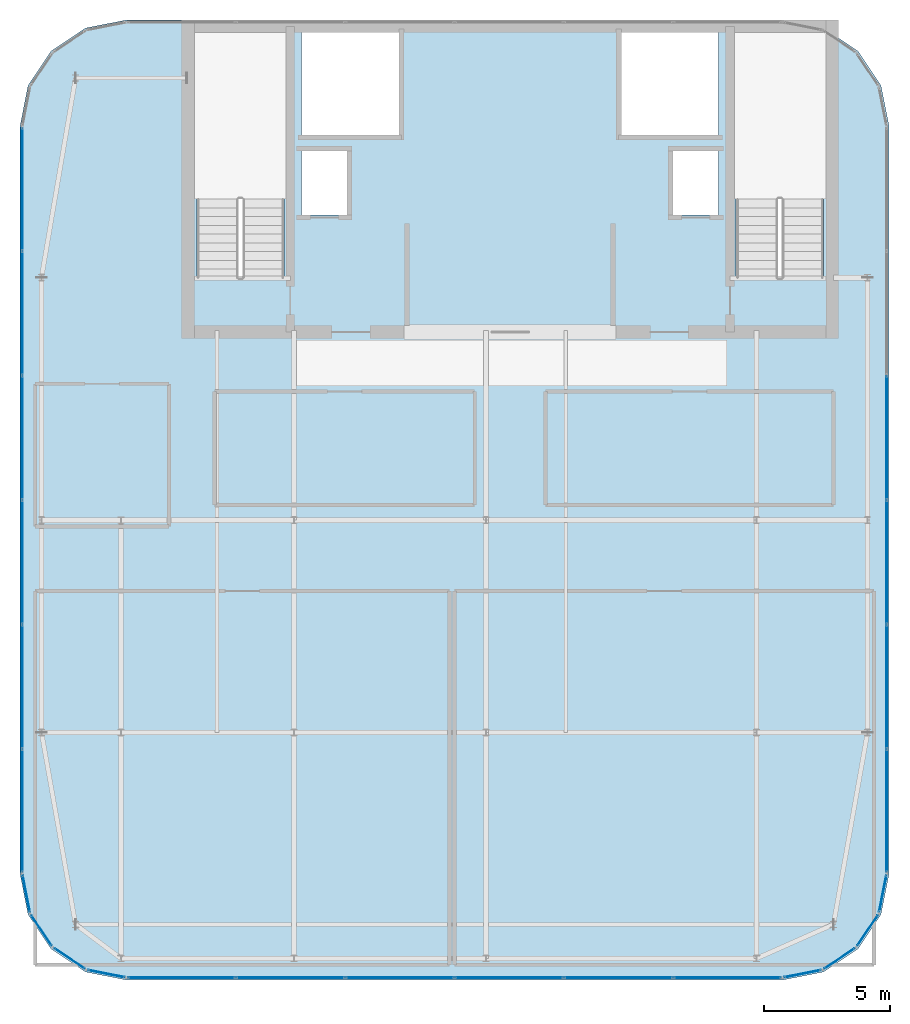
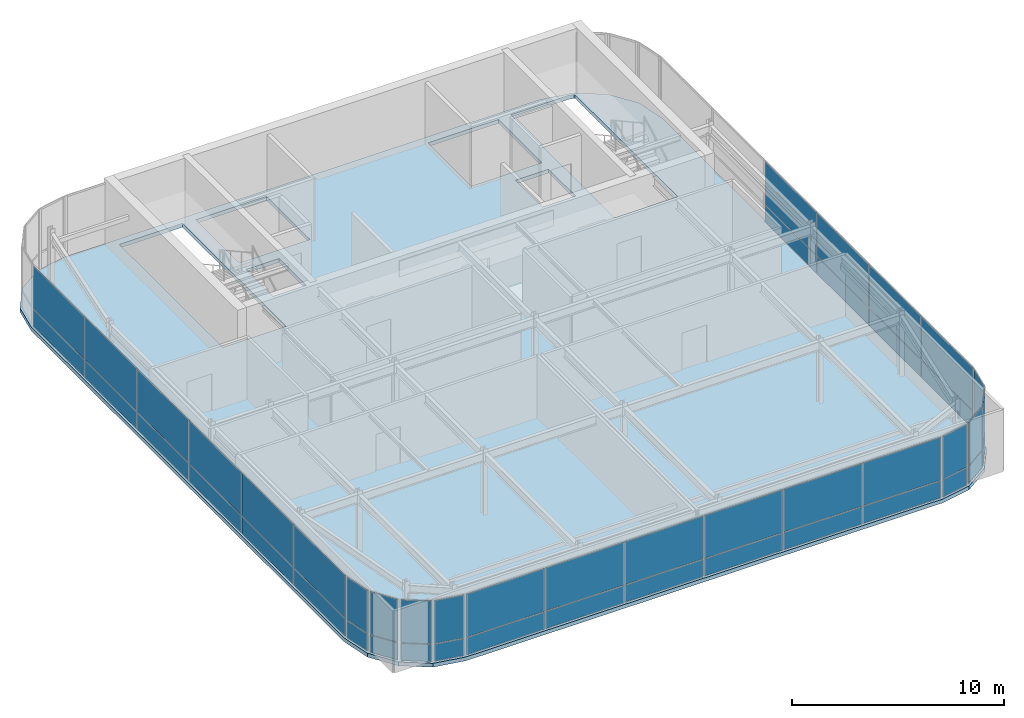
# One storey, part 29 of 36: 48 plates, 1 slab, 11 elements without a shape of their own.
"""IFC4 building model written with IfcOpenShell, lengths in metres."""

from ifc_helpers import new_model, si_unit, direction, frame, origin, origin_2d, place, context, subcontext, project, spatial, polyline, rectangle, outline, extrude, source, transform, mapped, material, layer, layer_set, type_object, type_shapes, element, aggregate, save


model = new_model("IFC4")

# Units and contexts
model_context = context("Model", 3, precision=1e-05, world=origin(), true_north=direction((0.0, 1.0)))
body_context = subcontext(model_context, "Body", "Model", "MODEL_VIEW")
ifc_project = project(units=[si_unit("LENGTHUNIT", "METRE"), si_unit("AREAUNIT", "SQUARE_METRE"), si_unit("VOLUMEUNIT", "CUBIC_METRE"), si_unit("PLANEANGLEUNIT", "RADIAN"), si_unit("MASSUNIT", "GRAM", prefix="KILO")], contexts=[model_context])

# Site, building, storey
site_placement = place(None, origin())
site = spatial("IfcSite", under=ifc_project, at=site_placement, CompositionType="ELEMENT")
building_placement = place(site_placement, origin())
building = spatial("IfcBuilding", under=site, at=building_placement, Name="Tolvann Quenvar Hotel", CompositionType="ELEMENT")
storey_placement = place(building_placement, frame((0.0, 0.0, 294.75)))
storey = spatial("IfcBuildingStorey", under=building, at=storey_placement, Name="L78", CompositionType="ELEMENT", Elevation=294.75)

# Slab
ifc_material_1 = material(Name="Concrete N50 (50 MPa)", Category="concrete")
ifc_layer_1 = layer(ifc_material_1, 0.219970703125)
ifc_layer_set_1 = layer_set([ifc_layer_1], Name="Concrete N50 (50 MPa)")
slab_type = type_object("IfcSlabType", Name="SLAB_UPR_220", PredefinedType="FLOOR", material=ifc_layer_set_1)
slab_placement = place(storey_placement, frame((0.0, 0.0, -0.219970703125)))
element("IfcSlab", 1, at=slab_placement, inside=storey, type_object=slab_type, Name="Level L78 Structural Floor Slab", PredefinedType="FLOOR", context=body_context, shape_type="SweptSolid", body=[
    extrude(outline(polyline([(3.60009765625, 10.39990234375), (3.919677734375, 8.792724609375), (4.830078125, 7.43017578125), (6.192626953125, 6.519775390625), (7.800048828125, 6.199951171875), (33.800048828125, 6.199951171875), (35.4072265625, 6.519775390625), (36.769775390625, 7.43017578125), (37.680419921875, 8.792724609375), (38.0, 10.39990234375), (38.0, 40.0), (37.680419921875, 41.607421875), (36.769775390625, 42.9697265625), (35.4072265625, 43.88037109375), (33.800048828125, 44.199951171875), (7.800048828125, 44.199951171875), (6.192626953125, 43.88037109375), (4.830078125, 42.9697265625), (3.919677734375, 41.607421875), (3.60009765625, 40.0), (3.60009765625, 10.39990234375)]), holes=[polyline([(35.093505859375, 43.800048828125), (35.352783203125, 43.748291015625), (35.39990234375, 43.716796875), (35.39990234375, 34.02490234375), (31.949951171875, 34.02490234375), (31.949951171875, 43.800048828125), (35.093505859375, 43.800048828125)]), polyline([(29.449951171875, 36.47998046875), (29.449951171875, 39.02001953125), (31.25, 39.02001953125), (31.25, 36.47998046875), (29.449951171875, 36.47998046875)]), polyline([(27.39990234375, 39.64990234375), (27.39990234375, 43.75), (31.25, 43.75), (31.25, 39.64990234375), (27.39990234375, 39.64990234375)]), polyline([(14.75, 39.64990234375), (14.75, 43.75), (18.60009765625, 43.75), (18.60009765625, 39.64990234375), (14.75, 39.64990234375)]), polyline([(16.550048828125, 36.47998046875), (14.75, 36.47998046875), (14.75, 39.02001953125), (16.550048828125, 39.02001953125), (16.550048828125, 36.47998046875)]), polyline([(14.050048828125, 34.02490234375), (10.60009765625, 34.02490234375), (10.60009765625, 43.800048828125), (14.050048828125, 43.800048828125), (14.050048828125, 34.02490234375)])]), origin(), (0.0, 0.0, 1.0), 0.219970703125),
])

# Curtain wall, plate
ifc_material_2 = material(Name="Thermally broken anodised architectural aluminium 6063-T6 and laminated low-E glass", Category="aluminium")
ifc_layer_2 = layer(ifc_material_2, 0.179931640625)
ifc_layer_set_2 = layer_set([ifc_layer_2], Name="Thermally broken anodised architectural aluminium 6063-T6 and laminated low-E glass")
curtain_wall_type = type_object("IfcCurtainWallType", Name="CW_SYS_LANT_06", PredefinedType="USERDEFINED", material=ifc_layer_set_2)
curtain_wall_1_placement = place(storey_placement, origin())
curtain_wall_1 = element("IfcCurtainWall", 2, at=curtain_wall_1_placement, inside=storey, type_object=curtain_wall_type, Name="Curtain Wall CW-LANT-06 (CWR-L78-E01)", ObjectType="UNITISED CURTAIN WALL", PredefinedType="USERDEFINED")
ifc_material_3 = material(Name="Diffused translucent ceramic-frit laminated lantern glass", Category="glass")
ifc_layer_3 = layer(ifc_material_3, 0.031982421875)
ifc_layer_set_3 = layer_set([ifc_layer_3], Name="Diffused translucent ceramic-frit laminated lantern glass")
plate_type = type_object("IfcPlateType", Name="CW_PAN_LANT_32", PredefinedType="CURTAIN_PANEL", material=ifc_layer_set_3)
shared_shape_1 = source(origin(), body_context, "Body", "SweptSolid", [
    extrude(rectangle(XDim=1.439208984375, YDim=0.031982421875, at=origin_2d()), origin(), (0.0, 0.0, 1.0), 0.97509765625),
])
plate_1_placement = place(storey_placement, frame((4.44970703125, 8.16162109375, 0.050048828125), z_axis=(0.0, 0.0, 1.0), x_axis=(0.555655769644, -0.831412452193, 0.0)))
plate_1 = element("IfcPlate", 3, at=plate_1_placement, type_object=plate_type, Name="CW-LANT-06 panel 1.1", PredefinedType="CURTAIN_PANEL", context=body_context, shape_type="MappedRepresentation", body=[
    mapped(shared_shape_1, transform((0.0, 0.0, 0.0), x_axis=(1.0, 0.0, 0.0), y_axis=(0.0, 1.0, 0.0), z_axis=(0.0, 0.0, 1.0), scale=1.0)),
])

curtain_wall_2_placement = place(storey_placement, origin())
curtain_wall_2 = element("IfcCurtainWall", 4, at=curtain_wall_2_placement, inside=storey, type_object=curtain_wall_type, Name="Curtain Wall CW-LANT-06 (CWR-L78-E02)", ObjectType="UNITISED CURTAIN WALL", PredefinedType="USERDEFINED")
plate_2_placement = place(storey_placement, frame((5.5615234375, 7.0498046875, 0.050048828125), z_axis=(0.0, 0.0, 1.0), x_axis=(0.831412452193, -0.555655769644, 0.0)))
plate_2 = element("IfcPlate", 5, at=plate_2_placement, type_object=plate_type, Name="CW-LANT-06 panel 1.1", PredefinedType="CURTAIN_PANEL", context=body_context, shape_type="MappedRepresentation", body=[
    mapped(shared_shape_1, transform((0.0, 0.0, 0.0), x_axis=(1.0, 0.0, 0.0), y_axis=(0.0, 1.0, 0.0), z_axis=(0.0, 0.0, 1.0), scale=1.0)),
])

curtain_wall_3_placement = place(storey_placement, origin())
curtain_wall_3 = element("IfcCurtainWall", 6, at=curtain_wall_3_placement, inside=storey, type_object=curtain_wall_type, Name="Curtain Wall CW-LANT-06 (CWR-L78-E06)", ObjectType="UNITISED CURTAIN WALL", PredefinedType="USERDEFINED")
plate_3_placement = place(storey_placement, frame((36.03857421875, 7.0498046875, 0.050048828125), z_axis=(0.0, 0.0, 1.0), x_axis=(0.831412452193, 0.555655769644, 0.0)))
plate_3 = element("IfcPlate", 7, at=plate_3_placement, type_object=plate_type, Name="CW-LANT-06 panel 1.1", PredefinedType="CURTAIN_PANEL", context=body_context, shape_type="MappedRepresentation", body=[
    mapped(shared_shape_1, transform((0.0, 0.0, 0.0), x_axis=(1.0, 0.0, 0.0), y_axis=(0.0, 1.0, 0.0), z_axis=(0.0, 0.0, 1.0), scale=1.0)),
])

curtain_wall_4_placement = place(storey_placement, origin())
curtain_wall_4 = element("IfcCurtainWall", 8, at=curtain_wall_4_placement, inside=storey, type_object=curtain_wall_type, Name="Curtain Wall CW-LANT-06 (CWR-L78-E07)", ObjectType="UNITISED CURTAIN WALL", PredefinedType="USERDEFINED")
plate_4_placement = place(storey_placement, frame((37.150146484375, 8.16162109375, 0.050048828125), z_axis=(0.0, 0.0, 1.0), x_axis=(0.555655769644, 0.831412452193, 0.0)))
plate_4 = element("IfcPlate", 9, at=plate_4_placement, type_object=plate_type, Name="CW-LANT-06 panel 1.1", PredefinedType="CURTAIN_PANEL", context=body_context, shape_type="MappedRepresentation", body=[
    mapped(shared_shape_1, transform((0.0, 0.0, 0.0), x_axis=(1.0, 0.0, 0.0), y_axis=(0.0, 1.0, 0.0), z_axis=(0.0, 0.0, 1.0), scale=1.0)),
])

# Plate
shared_shape_2 = source(origin(), body_context, "Body", "SweptSolid", [
    extrude(rectangle(XDim=1.439208984375, YDim=0.031982421875, at=origin_2d()), origin(), (0.0, 0.0, 1.0), 2.455078125),
])
plate_5_placement = place(storey_placement, frame((4.44970703125, 8.16162109375, 1.074951171875), z_axis=(0.0, 0.0, 1.0), x_axis=(0.555655769644, -0.831412452193, 0.0)))
plate_5 = element("IfcPlate", 10, at=plate_5_placement, type_object=plate_type, Name="CW-LANT-06 panel 1.2", PredefinedType="CURTAIN_PANEL", context=body_context, shape_type="MappedRepresentation", body=[
    mapped(shared_shape_2, transform((0.0, 0.0, 0.0), x_axis=(1.0, 0.0, 0.0), y_axis=(0.0, 1.0, 0.0), z_axis=(0.0, 0.0, 1.0), scale=1.0)),
])

aggregate(curtain_wall_1, [plate_1, plate_5])

plate_6_placement = place(storey_placement, frame((5.5615234375, 7.0498046875, 1.074951171875), z_axis=(0.0, 0.0, 1.0), x_axis=(0.831412452193, -0.555655769644, 0.0)))
plate_6 = element("IfcPlate", 11, at=plate_6_placement, type_object=plate_type, Name="CW-LANT-06 panel 1.2", PredefinedType="CURTAIN_PANEL", context=body_context, shape_type="MappedRepresentation", body=[
    mapped(shared_shape_2, transform((0.0, 0.0, 0.0), x_axis=(1.0, 0.0, 0.0), y_axis=(0.0, 1.0, 0.0), z_axis=(0.0, 0.0, 1.0), scale=1.0)),
])

aggregate(curtain_wall_2, [plate_2, plate_6])

plate_7_placement = place(storey_placement, frame((36.03857421875, 7.0498046875, 1.074951171875), z_axis=(0.0, 0.0, 1.0), x_axis=(0.831412452193, 0.555655769644, 0.0)))
plate_7 = element("IfcPlate", 12, at=plate_7_placement, type_object=plate_type, Name="CW-LANT-06 panel 1.2", PredefinedType="CURTAIN_PANEL", context=body_context, shape_type="MappedRepresentation", body=[
    mapped(shared_shape_2, transform((0.0, 0.0, 0.0), x_axis=(1.0, 0.0, 0.0), y_axis=(0.0, 1.0, 0.0), z_axis=(0.0, 0.0, 1.0), scale=1.0)),
])

aggregate(curtain_wall_3, [plate_3, plate_7])

plate_8_placement = place(storey_placement, frame((37.150146484375, 8.16162109375, 1.074951171875), z_axis=(0.0, 0.0, 1.0), x_axis=(0.555655769644, 0.831412452193, 0.0)))
plate_8 = element("IfcPlate", 13, at=plate_8_placement, type_object=plate_type, Name="CW-LANT-06 panel 1.2", PredefinedType="CURTAIN_PANEL", context=body_context, shape_type="MappedRepresentation", body=[
    mapped(shared_shape_2, transform((0.0, 0.0, 0.0), x_axis=(1.0, 0.0, 0.0), y_axis=(0.0, 1.0, 0.0), z_axis=(0.0, 0.0, 1.0), scale=1.0)),
])

aggregate(curtain_wall_4, [plate_4, plate_8])

# Curtain wall, plate
curtain_wall_5_placement = place(storey_placement, origin())
curtain_wall_5 = element("IfcCurtainWall", 14, at=curtain_wall_5_placement, inside=storey, type_object=curtain_wall_type, Name="Curtain Wall CW-LANT-06 (CWR-L78-E03)", ObjectType="UNITISED CURTAIN WALL", PredefinedType="USERDEFINED")
shared_shape_3 = source(origin(), body_context, "Body", "SweptSolid", [
    extrude(rectangle(XDim=1.456787109375, YDim=0.031982421875, at=origin_2d()), origin(), (0.0, 0.0, 1.0), 0.97509765625),
])
plate_9_placement = place(storey_placement, frame((7.0224609375, 6.4462890625, 0.050048828125), z_axis=(0.0, 0.0, 1.0), x_axis=(0.980790999222, -0.195061569369, 0.0)))
plate_9 = element("IfcPlate", 15, at=plate_9_placement, type_object=plate_type, Name="CW-LANT-06 panel 1.1", PredefinedType="CURTAIN_PANEL", context=body_context, shape_type="MappedRepresentation", body=[
    mapped(shared_shape_3, transform((0.0, 0.0, 0.0), x_axis=(1.0, 0.0, 0.0), y_axis=(0.0, 1.0, 0.0), z_axis=(0.0, 0.0, 1.0), scale=1.0)),
])

curtain_wall_6_placement = place(storey_placement, origin())
curtain_wall_6 = element("IfcCurtainWall", 16, at=curtain_wall_6_placement, inside=storey, type_object=curtain_wall_type, Name="Curtain Wall CW-LANT-06 (CWR-L78-E05)", ObjectType="UNITISED CURTAIN WALL", PredefinedType="USERDEFINED")
plate_10_placement = place(storey_placement, frame((34.577392578125, 6.4462890625, 0.050048828125), z_axis=(0.0, 0.0, 1.0), x_axis=(0.980790999222, 0.195061569369, 0.0)))
plate_10 = element("IfcPlate", 17, at=plate_10_placement, type_object=plate_type, Name="CW-LANT-06 panel 1.1", PredefinedType="CURTAIN_PANEL", context=body_context, shape_type="MappedRepresentation", body=[
    mapped(shared_shape_3, transform((0.0, 0.0, 0.0), x_axis=(1.0, 0.0, 0.0), y_axis=(0.0, 1.0, 0.0), z_axis=(0.0, 0.0, 1.0), scale=1.0)),
])

curtain_wall_7_placement = place(storey_placement, origin())
curtain_wall_7 = element("IfcCurtainWall", 18, at=curtain_wall_7_placement, inside=storey, type_object=curtain_wall_type, Name="Curtain Wall CW-LANT-06 (CWR-L78-E08)", ObjectType="UNITISED CURTAIN WALL", PredefinedType="USERDEFINED")
plate_11_placement = place(storey_placement, frame((37.753662109375, 9.62255859375, 0.050048828125), z_axis=(0.0, 0.0, 1.0), x_axis=(0.195061569369, 0.980790999222, 0.0)))
plate_11 = element("IfcPlate", 19, at=plate_11_placement, type_object=plate_type, Name="CW-LANT-06 panel 1.1", PredefinedType="CURTAIN_PANEL", context=body_context, shape_type="MappedRepresentation", body=[
    mapped(shared_shape_3, transform((0.0, 0.0, 0.0), x_axis=(1.0, 0.0, 0.0), y_axis=(0.0, 1.0, 0.0), z_axis=(0.0, 0.0, 1.0), scale=1.0)),
])

curtain_wall_8_placement = place(storey_placement, origin())
curtain_wall_8 = element("IfcCurtainWall", 20, at=curtain_wall_8_placement, inside=storey, type_object=curtain_wall_type, Name="Curtain Wall CW-LANT-06 (CWR-L78-E20)", ObjectType="UNITISED CURTAIN WALL", PredefinedType="USERDEFINED")
plate_12_placement = place(storey_placement, frame((3.846435546875, 9.62255859375, 0.050048828125), z_axis=(0.0, 0.0, 1.0), x_axis=(0.195061569369, -0.980790999222, 0.0)))
plate_12 = element("IfcPlate", 21, at=plate_12_placement, type_object=plate_type, Name="CW-LANT-06 panel 1.1", PredefinedType="CURTAIN_PANEL", context=body_context, shape_type="MappedRepresentation", body=[
    mapped(shared_shape_3, transform((0.0, 0.0, 0.0), x_axis=(1.0, 0.0, 0.0), y_axis=(0.0, 1.0, 0.0), z_axis=(0.0, 0.0, 1.0), scale=1.0)),
])

# Plate
shared_shape_4 = source(origin(), body_context, "Body", "SweptSolid", [
    extrude(rectangle(XDim=1.456787109375, YDim=0.031982421875, at=origin_2d()), origin(), (0.0, 0.0, 1.0), 2.455078125),
])
plate_13_placement = place(storey_placement, frame((7.0224609375, 6.4462890625, 1.074951171875), z_axis=(0.0, 0.0, 1.0), x_axis=(0.980790999222, -0.195061569369, 0.0)))
plate_13 = element("IfcPlate", 22, at=plate_13_placement, type_object=plate_type, Name="CW-LANT-06 panel 1.2", PredefinedType="CURTAIN_PANEL", context=body_context, shape_type="MappedRepresentation", body=[
    mapped(shared_shape_4, transform((0.0, 0.0, 0.0), x_axis=(1.0, 0.0, 0.0), y_axis=(0.0, 1.0, 0.0), z_axis=(0.0, 0.0, 1.0), scale=1.0)),
])

aggregate(curtain_wall_5, [plate_9, plate_13])

plate_14_placement = place(storey_placement, frame((34.577392578125, 6.4462890625, 1.074951171875), z_axis=(0.0, 0.0, 1.0), x_axis=(0.980790999222, 0.195061569369, 0.0)))
plate_14 = element("IfcPlate", 23, at=plate_14_placement, type_object=plate_type, Name="CW-LANT-06 panel 1.2", PredefinedType="CURTAIN_PANEL", context=body_context, shape_type="MappedRepresentation", body=[
    mapped(shared_shape_4, transform((0.0, 0.0, 0.0), x_axis=(1.0, 0.0, 0.0), y_axis=(0.0, 1.0, 0.0), z_axis=(0.0, 0.0, 1.0), scale=1.0)),
])

aggregate(curtain_wall_6, [plate_10, plate_14])

plate_15_placement = place(storey_placement, frame((37.753662109375, 9.62255859375, 1.074951171875), z_axis=(0.0, 0.0, 1.0), x_axis=(0.195061569369, 0.980790999222, 0.0)))
plate_15 = element("IfcPlate", 24, at=plate_15_placement, type_object=plate_type, Name="CW-LANT-06 panel 1.2", PredefinedType="CURTAIN_PANEL", context=body_context, shape_type="MappedRepresentation", body=[
    mapped(shared_shape_4, transform((0.0, 0.0, 0.0), x_axis=(1.0, 0.0, 0.0), y_axis=(0.0, 1.0, 0.0), z_axis=(0.0, 0.0, 1.0), scale=1.0)),
])

aggregate(curtain_wall_7, [plate_11, plate_15])

plate_16_placement = place(storey_placement, frame((3.846435546875, 9.62255859375, 1.074951171875), z_axis=(0.0, 0.0, 1.0), x_axis=(0.195061569369, -0.980790999222, 0.0)))
plate_16 = element("IfcPlate", 25, at=plate_16_placement, type_object=plate_type, Name="CW-LANT-06 panel 1.2", PredefinedType="CURTAIN_PANEL", context=body_context, shape_type="MappedRepresentation", body=[
    mapped(shared_shape_4, transform((0.0, 0.0, 0.0), x_axis=(1.0, 0.0, 0.0), y_axis=(0.0, 1.0, 0.0), z_axis=(0.0, 0.0, 1.0), scale=1.0)),
])

aggregate(curtain_wall_8, [plate_12, plate_16])

# Curtain wall, plates
curtain_wall_9_placement = place(storey_placement, origin())
curtain_wall_9 = element("IfcCurtainWall", 26, at=curtain_wall_9_placement, inside=storey, type_object=curtain_wall_type, Name="Curtain Wall CW-LANT-06 (CWR-L78-E04)", ObjectType="UNITISED CURTAIN WALL", PredefinedType="USERDEFINED")
shared_shape_5 = source(origin(), body_context, "Body", "SweptSolid", [
    extrude(rectangle(XDim=4.22998046875, YDim=0.031982421875, at=origin_2d()), origin(), (0.0, 0.0, 1.0), 0.97509765625),
])
plate_17_placement = place(storey_placement, frame((9.997314453125, 6.2900390625, 0.050048828125), z_axis=(0.0, 0.0, 1.0), x_axis=(1.0, 0.0, 0.0)))
plate_17 = element("IfcPlate", 27, at=plate_17_placement, type_object=plate_type, Name="CW-LANT-06 panel 1.1", PredefinedType="CURTAIN_PANEL", context=body_context, shape_type="MappedRepresentation", body=[
    mapped(shared_shape_5, transform((0.0, 0.0, 0.0), x_axis=(1.0, 0.0, 0.0), y_axis=(0.0, 1.0, 0.0), z_axis=(0.0, 0.0, 1.0), scale=1.0)),
])
plate_18_placement = place(storey_placement, frame((31.602783203125, 6.2900390625, 0.050048828125), z_axis=(0.0, 0.0, 1.0), x_axis=(1.0, 0.0, 0.0)))
plate_18 = element("IfcPlate", 28, at=plate_18_placement, type_object=plate_type, Name="CW-LANT-06 panel 6.1", PredefinedType="CURTAIN_PANEL", context=body_context, shape_type="MappedRepresentation", body=[
    mapped(shared_shape_5, transform((0.0, 0.0, 0.0), x_axis=(1.0, 0.0, 0.0), y_axis=(0.0, 1.0, 0.0), z_axis=(0.0, 0.0, 1.0), scale=1.0)),
])
shared_shape_6 = source(origin(), body_context, "Body", "SweptSolid", [
    extrude(rectangle(XDim=4.22998046875, YDim=0.031982421875, at=origin_2d()), origin(), (0.0, 0.0, 1.0), 2.455078125),
])
plate_19_placement = place(storey_placement, frame((9.997314453125, 6.2900390625, 1.074951171875), z_axis=(0.0, 0.0, 1.0), x_axis=(1.0, 0.0, 0.0)))
plate_19 = element("IfcPlate", 29, at=plate_19_placement, type_object=plate_type, Name="CW-LANT-06 panel 1.2", PredefinedType="CURTAIN_PANEL", context=body_context, shape_type="MappedRepresentation", body=[
    mapped(shared_shape_6, transform((0.0, 0.0, 0.0), x_axis=(1.0, 0.0, 0.0), y_axis=(0.0, 1.0, 0.0), z_axis=(0.0, 0.0, 1.0), scale=1.0)),
])
plate_20_placement = place(storey_placement, frame((31.602783203125, 6.2900390625, 1.074951171875), z_axis=(0.0, 0.0, 1.0), x_axis=(1.0, 0.0, 0.0)))
plate_20 = element("IfcPlate", 30, at=plate_20_placement, type_object=plate_type, Name="CW-LANT-06 panel 6.2", PredefinedType="CURTAIN_PANEL", context=body_context, shape_type="MappedRepresentation", body=[
    mapped(shared_shape_6, transform((0.0, 0.0, 0.0), x_axis=(1.0, 0.0, 0.0), y_axis=(0.0, 1.0, 0.0), z_axis=(0.0, 0.0, 1.0), scale=1.0)),
])
shared_shape_7 = source(origin(), body_context, "Body", "SweptSolid", [
    extrude(rectangle(XDim=4.2626953125, YDim=0.031982421875, at=origin_2d()), origin(), (0.0, 0.0, 1.0), 0.97509765625),
])
plate_21_placement = place(storey_placement, frame((14.30859375, 6.2900390625, 0.050048828125), z_axis=(0.0, 0.0, 1.0), x_axis=(1.0, 0.0, 0.0)))
plate_21 = element("IfcPlate", 31, at=plate_21_placement, type_object=plate_type, Name="CW-LANT-06 panel 2.1", PredefinedType="CURTAIN_PANEL", context=body_context, shape_type="MappedRepresentation", body=[
    mapped(shared_shape_7, transform((0.0, 0.0, 0.0), x_axis=(1.0, 0.0, 0.0), y_axis=(0.0, 1.0, 0.0), z_axis=(0.0, 0.0, 1.0), scale=1.0)),
])
plate_22_placement = place(storey_placement, frame((18.63623046875, 6.2900390625, 0.050048828125), z_axis=(0.0, 0.0, 1.0), x_axis=(1.0, 0.0, 0.0)))
plate_22 = element("IfcPlate", 32, at=plate_22_placement, type_object=plate_type, Name="CW-LANT-06 panel 3.1", PredefinedType="CURTAIN_PANEL", context=body_context, shape_type="MappedRepresentation", body=[
    mapped(shared_shape_7, transform((0.0, 0.0, 0.0), x_axis=(1.0, 0.0, 0.0), y_axis=(0.0, 1.0, 0.0), z_axis=(0.0, 0.0, 1.0), scale=1.0)),
])
plate_23_placement = place(storey_placement, frame((22.9638671875, 6.2900390625, 0.050048828125), z_axis=(0.0, 0.0, 1.0), x_axis=(1.0, 0.0, 0.0)))
plate_23 = element("IfcPlate", 33, at=plate_23_placement, type_object=plate_type, Name="CW-LANT-06 panel 4.1", PredefinedType="CURTAIN_PANEL", context=body_context, shape_type="MappedRepresentation", body=[
    mapped(shared_shape_7, transform((0.0, 0.0, 0.0), x_axis=(1.0, 0.0, 0.0), y_axis=(0.0, 1.0, 0.0), z_axis=(0.0, 0.0, 1.0), scale=1.0)),
])
plate_24_placement = place(storey_placement, frame((27.29150390625, 6.2900390625, 0.050048828125), z_axis=(0.0, 0.0, 1.0), x_axis=(1.0, 0.0, 0.0)))
plate_24 = element("IfcPlate", 34, at=plate_24_placement, type_object=plate_type, Name="CW-LANT-06 panel 5.1", PredefinedType="CURTAIN_PANEL", context=body_context, shape_type="MappedRepresentation", body=[
    mapped(shared_shape_7, transform((0.0, 0.0, 0.0), x_axis=(1.0, 0.0, 0.0), y_axis=(0.0, 1.0, 0.0), z_axis=(0.0, 0.0, 1.0), scale=1.0)),
])
shared_shape_8 = source(origin(), body_context, "Body", "SweptSolid", [
    extrude(rectangle(XDim=4.2626953125, YDim=0.031982421875, at=origin_2d()), origin(), (0.0, 0.0, 1.0), 2.455078125),
])
plate_25_placement = place(storey_placement, frame((14.30859375, 6.2900390625, 1.074951171875), z_axis=(0.0, 0.0, 1.0), x_axis=(1.0, 0.0, 0.0)))
plate_25 = element("IfcPlate", 35, at=plate_25_placement, type_object=plate_type, Name="CW-LANT-06 panel 2.2", PredefinedType="CURTAIN_PANEL", context=body_context, shape_type="MappedRepresentation", body=[
    mapped(shared_shape_8, transform((0.0, 0.0, 0.0), x_axis=(1.0, 0.0, 0.0), y_axis=(0.0, 1.0, 0.0), z_axis=(0.0, 0.0, 1.0), scale=1.0)),
])
plate_26_placement = place(storey_placement, frame((18.63623046875, 6.2900390625, 1.074951171875), z_axis=(0.0, 0.0, 1.0), x_axis=(1.0, 0.0, 0.0)))
plate_26 = element("IfcPlate", 36, at=plate_26_placement, type_object=plate_type, Name="CW-LANT-06 panel 3.2", PredefinedType="CURTAIN_PANEL", context=body_context, shape_type="MappedRepresentation", body=[
    mapped(shared_shape_8, transform((0.0, 0.0, 0.0), x_axis=(1.0, 0.0, 0.0), y_axis=(0.0, 1.0, 0.0), z_axis=(0.0, 0.0, 1.0), scale=1.0)),
])
plate_27_placement = place(storey_placement, frame((22.9638671875, 6.2900390625, 1.074951171875), z_axis=(0.0, 0.0, 1.0), x_axis=(1.0, 0.0, 0.0)))
plate_27 = element("IfcPlate", 37, at=plate_27_placement, type_object=plate_type, Name="CW-LANT-06 panel 4.2", PredefinedType="CURTAIN_PANEL", context=body_context, shape_type="MappedRepresentation", body=[
    mapped(shared_shape_8, transform((0.0, 0.0, 0.0), x_axis=(1.0, 0.0, 0.0), y_axis=(0.0, 1.0, 0.0), z_axis=(0.0, 0.0, 1.0), scale=1.0)),
])
plate_28_placement = place(storey_placement, frame((27.29150390625, 6.2900390625, 1.074951171875), z_axis=(0.0, 0.0, 1.0), x_axis=(1.0, 0.0, 0.0)))
plate_28 = element("IfcPlate", 38, at=plate_28_placement, type_object=plate_type, Name="CW-LANT-06 panel 5.2", PredefinedType="CURTAIN_PANEL", context=body_context, shape_type="MappedRepresentation", body=[
    mapped(shared_shape_8, transform((0.0, 0.0, 0.0), x_axis=(1.0, 0.0, 0.0), y_axis=(0.0, 1.0, 0.0), z_axis=(0.0, 0.0, 1.0), scale=1.0)),
])
aggregate(curtain_wall_9, [plate_17, plate_19, plate_21, plate_25, plate_22, plate_26, plate_23, plate_27, plate_24, plate_28, plate_18, plate_20])

# Curtain wall, plate
curtain_wall_10_placement = place(storey_placement, origin())
curtain_wall_10 = element("IfcCurtainWall", 39, at=curtain_wall_10_placement, inside=storey, type_object=curtain_wall_type, Name="Curtain Wall CW-LANT-06 (CWR-L78-E09)", ObjectType="UNITISED CURTAIN WALL", PredefinedType="USERDEFINED")
shared_shape_9 = source(origin(), body_context, "Body", "SweptSolid", [
    extrude(rectangle(XDim=4.830078125, YDim=0.031982421875, at=origin_2d()), origin(), (0.0, 0.0, 1.0), 0.97509765625),
])
plate_29_placement = place(storey_placement, frame((37.909912109375, 12.897216796875, 0.050048828125), z_axis=(0.0, 0.0, 1.0), x_axis=(0.0, 1.0, 0.0)))
plate_29 = element("IfcPlate", 40, at=plate_29_placement, type_object=plate_type, Name="CW-LANT-06 panel 1.1", PredefinedType="CURTAIN_PANEL", context=body_context, shape_type="MappedRepresentation", body=[
    mapped(shared_shape_9, transform((0.0, 0.0, 0.0), x_axis=(1.0, 0.0, 0.0), y_axis=(0.0, 1.0, 0.0), z_axis=(0.0, 0.0, 1.0), scale=1.0)),
])

# Curtain wall, plates
curtain_wall_11_placement = place(storey_placement, origin())
curtain_wall_11 = element("IfcCurtainWall", 41, at=curtain_wall_11_placement, inside=storey, type_object=curtain_wall_type, Name="Curtain Wall CW-LANT-06 (CWR-L78-E19)", ObjectType="UNITISED CURTAIN WALL", PredefinedType="USERDEFINED")
plate_30_placement = place(storey_placement, frame((3.68994140625, 37.502685546875, 0.050048828125), z_axis=(0.0, 0.0, 1.0), x_axis=(0.0, -1.0, 0.0)))
plate_30 = element("IfcPlate", 42, at=plate_30_placement, type_object=plate_type, Name="CW-LANT-06 panel 1.1", PredefinedType="CURTAIN_PANEL", context=body_context, shape_type="MappedRepresentation", body=[
    mapped(shared_shape_9, transform((0.0, 0.0, 0.0), x_axis=(1.0, 0.0, 0.0), y_axis=(0.0, 1.0, 0.0), z_axis=(0.0, 0.0, 1.0), scale=1.0)),
])
plate_31_placement = place(storey_placement, frame((3.68994140625, 12.897216796875, 0.050048828125), z_axis=(0.0, 0.0, 1.0), x_axis=(0.0, -1.0, 0.0)))
plate_31 = element("IfcPlate", 43, at=plate_31_placement, type_object=plate_type, Name="CW-LANT-06 panel 6.1", PredefinedType="CURTAIN_PANEL", context=body_context, shape_type="MappedRepresentation", body=[
    mapped(shared_shape_9, transform((0.0, 0.0, 0.0), x_axis=(1.0, 0.0, 0.0), y_axis=(0.0, 1.0, 0.0), z_axis=(0.0, 0.0, 1.0), scale=1.0)),
])

# Plate
shared_shape_10 = source(origin(), body_context, "Body", "SweptSolid", [
    extrude(rectangle(XDim=4.830078125, YDim=0.031982421875, at=origin_2d()), origin(), (0.0, 0.0, 1.0), 2.455078125),
])
plate_32_placement = place(storey_placement, frame((37.909912109375, 12.897216796875, 1.074951171875), z_axis=(0.0, 0.0, 1.0), x_axis=(0.0, 1.0, 0.0)))
plate_32 = element("IfcPlate", 44, at=plate_32_placement, type_object=plate_type, Name="CW-LANT-06 panel 1.2", PredefinedType="CURTAIN_PANEL", context=body_context, shape_type="MappedRepresentation", body=[
    mapped(shared_shape_10, transform((0.0, 0.0, 0.0), x_axis=(1.0, 0.0, 0.0), y_axis=(0.0, 1.0, 0.0), z_axis=(0.0, 0.0, 1.0), scale=1.0)),
])

plate_33_placement = place(storey_placement, frame((3.68994140625, 37.502685546875, 1.074951171875), z_axis=(0.0, 0.0, 1.0), x_axis=(0.0, -1.0, 0.0)))
plate_33 = element("IfcPlate", 45, at=plate_33_placement, type_object=plate_type, Name="CW-LANT-06 panel 1.2", PredefinedType="CURTAIN_PANEL", context=body_context, shape_type="MappedRepresentation", body=[
    mapped(shared_shape_10, transform((0.0, 0.0, 0.0), x_axis=(1.0, 0.0, 0.0), y_axis=(0.0, 1.0, 0.0), z_axis=(0.0, 0.0, 1.0), scale=1.0)),
])

plate_34_placement = place(storey_placement, frame((3.68994140625, 12.897216796875, 1.074951171875), z_axis=(0.0, 0.0, 1.0), x_axis=(0.0, -1.0, 0.0)))
plate_34 = element("IfcPlate", 46, at=plate_34_placement, type_object=plate_type, Name="CW-LANT-06 panel 6.2", PredefinedType="CURTAIN_PANEL", context=body_context, shape_type="MappedRepresentation", body=[
    mapped(shared_shape_10, transform((0.0, 0.0, 0.0), x_axis=(1.0, 0.0, 0.0), y_axis=(0.0, 1.0, 0.0), z_axis=(0.0, 0.0, 1.0), scale=1.0)),
])

shared_shape_11 = source(origin(), body_context, "Body", "SweptSolid", [
    extrude(rectangle(XDim=4.862548828125, YDim=0.031982421875, at=origin_2d()), origin(), (0.0, 0.0, 1.0), 0.97509765625),
])
plate_35_placement = place(storey_placement, frame((37.909912109375, 17.80859375, 0.050048828125), z_axis=(0.0, 0.0, 1.0), x_axis=(0.0, 1.0, 0.0)))
plate_35 = element("IfcPlate", 47, at=plate_35_placement, type_object=plate_type, Name="CW-LANT-06 panel 2.1", PredefinedType="CURTAIN_PANEL", context=body_context, shape_type="MappedRepresentation", body=[
    mapped(shared_shape_11, transform((0.0, 0.0, 0.0), x_axis=(1.0, 0.0, 0.0), y_axis=(0.0, 1.0, 0.0), z_axis=(0.0, 0.0, 1.0), scale=1.0)),
])

plate_36_placement = place(storey_placement, frame((37.909912109375, 22.736083984375, 0.050048828125), z_axis=(0.0, 0.0, 1.0), x_axis=(0.0, 1.0, 0.0)))
plate_36 = element("IfcPlate", 48, at=plate_36_placement, type_object=plate_type, Name="CW-LANT-06 panel 3.1", PredefinedType="CURTAIN_PANEL", context=body_context, shape_type="MappedRepresentation", body=[
    mapped(shared_shape_11, transform((0.0, 0.0, 0.0), x_axis=(1.0, 0.0, 0.0), y_axis=(0.0, 1.0, 0.0), z_axis=(0.0, 0.0, 1.0), scale=1.0)),
])

plate_37_placement = place(storey_placement, frame((37.909912109375, 27.663818359375, 0.050048828125), z_axis=(0.0, 0.0, 1.0), x_axis=(0.0, 1.0, 0.0)))
plate_37 = element("IfcPlate", 49, at=plate_37_placement, type_object=plate_type, Name="CW-LANT-06 panel 4.1", PredefinedType="CURTAIN_PANEL", context=body_context, shape_type="MappedRepresentation", body=[
    mapped(shared_shape_11, transform((0.0, 0.0, 0.0), x_axis=(1.0, 0.0, 0.0), y_axis=(0.0, 1.0, 0.0), z_axis=(0.0, 0.0, 1.0), scale=1.0)),
])

plate_38_placement = place(storey_placement, frame((3.68994140625, 32.59130859375, 0.050048828125), z_axis=(0.0, 0.0, 1.0), x_axis=(0.0, -1.0, 0.0)))
plate_38 = element("IfcPlate", 50, at=plate_38_placement, type_object=plate_type, Name="CW-LANT-06 panel 2.1", PredefinedType="CURTAIN_PANEL", context=body_context, shape_type="MappedRepresentation", body=[
    mapped(shared_shape_11, transform((0.0, 0.0, 0.0), x_axis=(1.0, 0.0, 0.0), y_axis=(0.0, 1.0, 0.0), z_axis=(0.0, 0.0, 1.0), scale=1.0)),
])

plate_39_placement = place(storey_placement, frame((3.68994140625, 27.663818359375, 0.050048828125), z_axis=(0.0, 0.0, 1.0), x_axis=(0.0, -1.0, 0.0)))
plate_39 = element("IfcPlate", 51, at=plate_39_placement, type_object=plate_type, Name="CW-LANT-06 panel 3.1", PredefinedType="CURTAIN_PANEL", context=body_context, shape_type="MappedRepresentation", body=[
    mapped(shared_shape_11, transform((0.0, 0.0, 0.0), x_axis=(1.0, 0.0, 0.0), y_axis=(0.0, 1.0, 0.0), z_axis=(0.0, 0.0, 1.0), scale=1.0)),
])

plate_40_placement = place(storey_placement, frame((3.68994140625, 22.736083984375, 0.050048828125), z_axis=(0.0, 0.0, 1.0), x_axis=(0.0, -1.0, 0.0)))
plate_40 = element("IfcPlate", 52, at=plate_40_placement, type_object=plate_type, Name="CW-LANT-06 panel 4.1", PredefinedType="CURTAIN_PANEL", context=body_context, shape_type="MappedRepresentation", body=[
    mapped(shared_shape_11, transform((0.0, 0.0, 0.0), x_axis=(1.0, 0.0, 0.0), y_axis=(0.0, 1.0, 0.0), z_axis=(0.0, 0.0, 1.0), scale=1.0)),
])

plate_41_placement = place(storey_placement, frame((3.68994140625, 17.80859375, 0.050048828125), z_axis=(0.0, 0.0, 1.0), x_axis=(0.0, -1.0, 0.0)))
plate_41 = element("IfcPlate", 53, at=plate_41_placement, type_object=plate_type, Name="CW-LANT-06 panel 5.1", PredefinedType="CURTAIN_PANEL", context=body_context, shape_type="MappedRepresentation", body=[
    mapped(shared_shape_11, transform((0.0, 0.0, 0.0), x_axis=(1.0, 0.0, 0.0), y_axis=(0.0, 1.0, 0.0), z_axis=(0.0, 0.0, 1.0), scale=1.0)),
])

shared_shape_12 = source(origin(), body_context, "Body", "SweptSolid", [
    extrude(rectangle(XDim=4.862548828125, YDim=0.031982421875, at=origin_2d()), origin(), (0.0, 0.0, 1.0), 2.455078125),
])
type_shapes(plate_type, [shared_shape_1, shared_shape_2, shared_shape_3, shared_shape_4, shared_shape_5, shared_shape_6, shared_shape_7, shared_shape_8, shared_shape_9, shared_shape_10, shared_shape_11, shared_shape_12])
plate_42_placement = place(storey_placement, frame((37.909912109375, 17.80859375, 1.074951171875), z_axis=(0.0, 0.0, 1.0), x_axis=(0.0, 1.0, 0.0)))
plate_42 = element("IfcPlate", 54, at=plate_42_placement, type_object=plate_type, Name="CW-LANT-06 panel 2.2", PredefinedType="CURTAIN_PANEL", context=body_context, shape_type="MappedRepresentation", body=[
    mapped(shared_shape_12, transform((0.0, 0.0, 0.0), x_axis=(1.0, 0.0, 0.0), y_axis=(0.0, 1.0, 0.0), z_axis=(0.0, 0.0, 1.0), scale=1.0)),
])

plate_43_placement = place(storey_placement, frame((37.909912109375, 22.736083984375, 1.074951171875), z_axis=(0.0, 0.0, 1.0), x_axis=(0.0, 1.0, 0.0)))
plate_43 = element("IfcPlate", 55, at=plate_43_placement, type_object=plate_type, Name="CW-LANT-06 panel 3.2", PredefinedType="CURTAIN_PANEL", context=body_context, shape_type="MappedRepresentation", body=[
    mapped(shared_shape_12, transform((0.0, 0.0, 0.0), x_axis=(1.0, 0.0, 0.0), y_axis=(0.0, 1.0, 0.0), z_axis=(0.0, 0.0, 1.0), scale=1.0)),
])

plate_44_placement = place(storey_placement, frame((37.909912109375, 27.663818359375, 1.074951171875), z_axis=(0.0, 0.0, 1.0), x_axis=(0.0, 1.0, 0.0)))
plate_44 = element("IfcPlate", 56, at=plate_44_placement, type_object=plate_type, Name="CW-LANT-06 panel 4.2", PredefinedType="CURTAIN_PANEL", context=body_context, shape_type="MappedRepresentation", body=[
    mapped(shared_shape_12, transform((0.0, 0.0, 0.0), x_axis=(1.0, 0.0, 0.0), y_axis=(0.0, 1.0, 0.0), z_axis=(0.0, 0.0, 1.0), scale=1.0)),
])

aggregate(curtain_wall_10, [plate_29, plate_32, plate_35, plate_42, plate_36, plate_43, plate_37, plate_44])

plate_45_placement = place(storey_placement, frame((3.68994140625, 32.59130859375, 1.074951171875), z_axis=(0.0, 0.0, 1.0), x_axis=(0.0, -1.0, 0.0)))
plate_45 = element("IfcPlate", 57, at=plate_45_placement, type_object=plate_type, Name="CW-LANT-06 panel 2.2", PredefinedType="CURTAIN_PANEL", context=body_context, shape_type="MappedRepresentation", body=[
    mapped(shared_shape_12, transform((0.0, 0.0, 0.0), x_axis=(1.0, 0.0, 0.0), y_axis=(0.0, 1.0, 0.0), z_axis=(0.0, 0.0, 1.0), scale=1.0)),
])

plate_46_placement = place(storey_placement, frame((3.68994140625, 27.663818359375, 1.074951171875), z_axis=(0.0, 0.0, 1.0), x_axis=(0.0, -1.0, 0.0)))
plate_46 = element("IfcPlate", 58, at=plate_46_placement, type_object=plate_type, Name="CW-LANT-06 panel 3.2", PredefinedType="CURTAIN_PANEL", context=body_context, shape_type="MappedRepresentation", body=[
    mapped(shared_shape_12, transform((0.0, 0.0, 0.0), x_axis=(1.0, 0.0, 0.0), y_axis=(0.0, 1.0, 0.0), z_axis=(0.0, 0.0, 1.0), scale=1.0)),
])

plate_47_placement = place(storey_placement, frame((3.68994140625, 22.736083984375, 1.074951171875), z_axis=(0.0, 0.0, 1.0), x_axis=(0.0, -1.0, 0.0)))
plate_47 = element("IfcPlate", 59, at=plate_47_placement, type_object=plate_type, Name="CW-LANT-06 panel 4.2", PredefinedType="CURTAIN_PANEL", context=body_context, shape_type="MappedRepresentation", body=[
    mapped(shared_shape_12, transform((0.0, 0.0, 0.0), x_axis=(1.0, 0.0, 0.0), y_axis=(0.0, 1.0, 0.0), z_axis=(0.0, 0.0, 1.0), scale=1.0)),
])

plate_48_placement = place(storey_placement, frame((3.68994140625, 17.80859375, 1.074951171875), z_axis=(0.0, 0.0, 1.0), x_axis=(0.0, -1.0, 0.0)))
plate_48 = element("IfcPlate", 60, at=plate_48_placement, type_object=plate_type, Name="CW-LANT-06 panel 5.2", PredefinedType="CURTAIN_PANEL", context=body_context, shape_type="MappedRepresentation", body=[
    mapped(shared_shape_12, transform((0.0, 0.0, 0.0), x_axis=(1.0, 0.0, 0.0), y_axis=(0.0, 1.0, 0.0), z_axis=(0.0, 0.0, 1.0), scale=1.0)),
])

aggregate(curtain_wall_11, [plate_30, plate_33, plate_38, plate_45, plate_39, plate_46, plate_40, plate_47, plate_41, plate_48, plate_31, plate_34])

save(model, "model.ifc")
